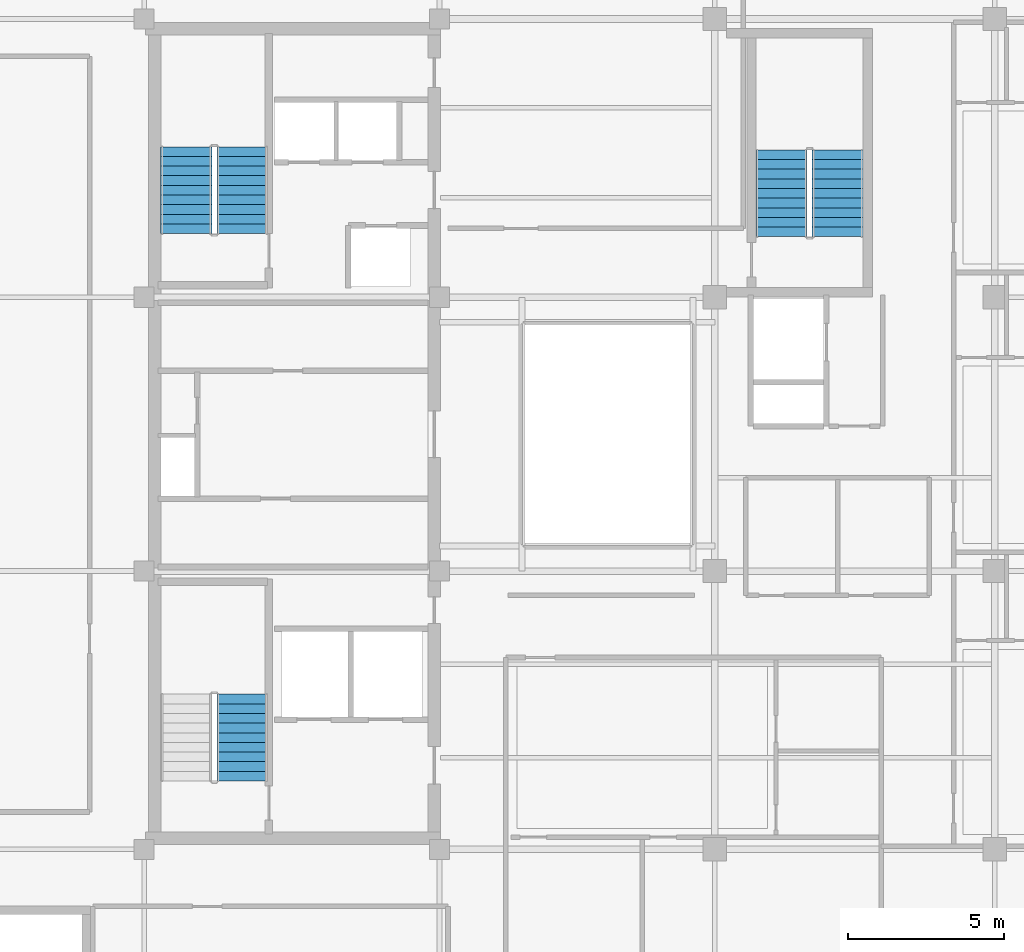
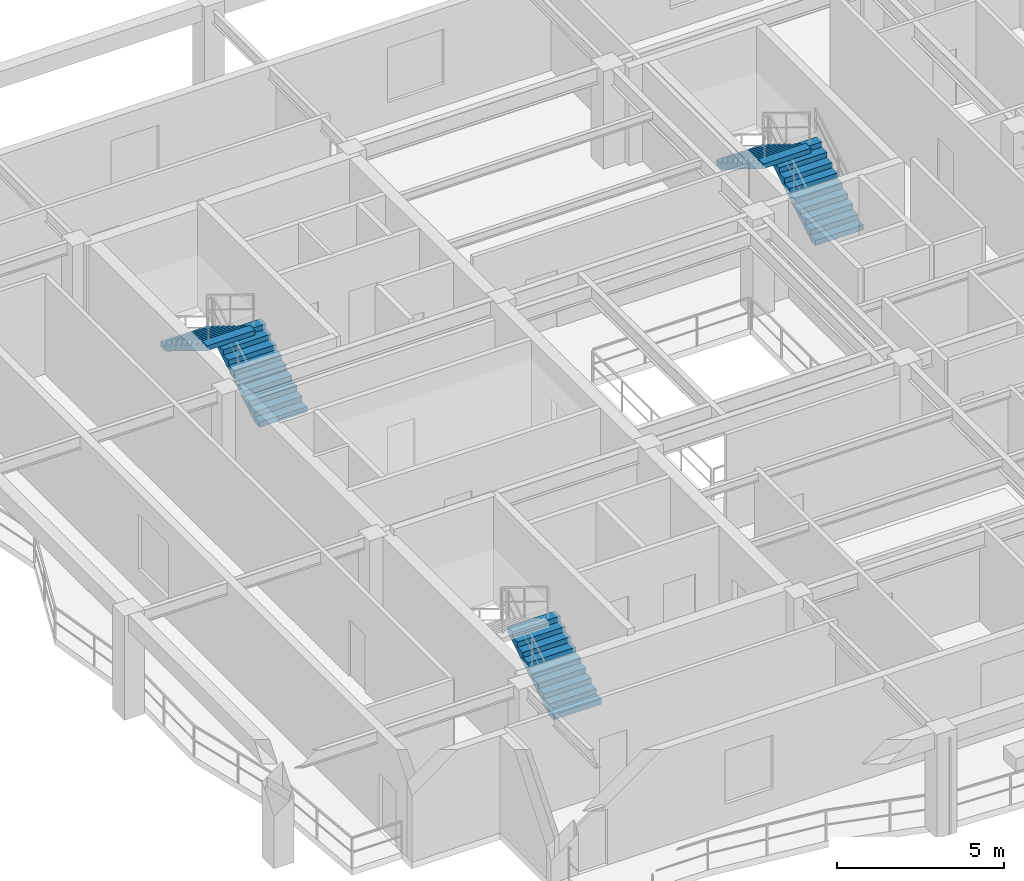
# One storey, part 6 of 10: 5 stair flights, 3 elements without a shape of their own.
"""IFC4 building model written with IfcOpenShell, lengths in metres."""

from ifc_helpers import new_model, si_unit, direction, frame, origin, place, context, subcontext, project, spatial, polyline, outline, extrude, material, type_object, element, aggregate, save


model = new_model("IFC4")

# Units and contexts
model_context = context("Model", 3, precision=1e-05, world=origin(), true_north=direction((0.0, 1.0)))
body_context = subcontext(model_context, "Body", "Model", "MODEL_VIEW")
ifc_project = project(units=[si_unit("LENGTHUNIT", "METRE"), si_unit("AREAUNIT", "SQUARE_METRE"), si_unit("VOLUMEUNIT", "CUBIC_METRE"), si_unit("PLANEANGLEUNIT", "RADIAN"), si_unit("MASSUNIT", "GRAM", prefix="KILO")], contexts=[model_context])

# Site, building, storey
site_placement = place(None, origin())
site = spatial("IfcSite", under=ifc_project, at=site_placement, CompositionType="ELEMENT")
building_placement = place(site_placement, origin())
building = spatial("IfcBuilding", under=site, at=building_placement, Name="Kundavana Baori Tower", CompositionType="ELEMENT")
storey_placement = place(building_placement, frame((0.0, 0.0, 316.300048828125)))
storey = spatial("IfcBuildingStorey", under=building, at=storey_placement, Name="L78", CompositionType="ELEMENT", Elevation=316.300048828125)

# Stair, stair flight
ifc_material_1 = material(Name="Concrete C40/50", Category="concrete")
stair_type = type_object("IfcStairType", Name="STR-DOG-1650", PredefinedType="HALF_TURN_STAIR", material=ifc_material_1)
stair_1_placement = place(storey_placement, origin())
stair_1 = element("IfcStair", 1, at=stair_1_placement, inside=storey, type_object=stair_type, Name="L78 Protected Exit Stair ST1", PredefinedType="HALF_TURN_STAIR")
ifc_material_2 = material(Name="Concrete C40/50", Category="concrete")
stair_flight_type = type_object("IfcStairFlightType", Name="SFL-RC-1650", PredefinedType="STRAIGHT", material=ifc_material_2)
stair_flight_1_placement = place(storey_placement, frame((18.614990234375, 17.449951171875, 0.0), z_axis=(0.0, 0.0, 1.0), x_axis=(0.0, 1.0, 0.0)))
stair_flight_1 = element("IfcStairFlight", 2, at=stair_flight_1_placement, type_object=stair_flight_type, Name="ST1 flight 1", NumberOfRisers=10, NumberOfTreads=9, PredefinedType="STRAIGHT", RiserHeight=0.19, TreadLength=0.31, context=body_context, shape_type="SweptSolid", body=[
    extrude(outline(polyline([(0.0, 0.0), (0.0, 0.18994140625), (0.31005859375, 0.18994140625), (0.31005859375, 0.3798828125), (0.6201171875, 0.3798828125), (0.6201171875, 0.570068359375), (0.929931640625, 0.570068359375), (0.929931640625, 0.760009765625), (1.239990234375, 0.760009765625), (1.239990234375, 0.949951171875), (1.550048828125, 0.949951171875), (1.550048828125, 1.139892578125), (1.860107421875, 1.139892578125), (1.860107421875, 1.330078125), (2.169921875, 1.330078125), (2.169921875, 1.52001953125), (2.47998046875, 1.52001953125), (2.47998046875, 1.7099609375), (2.7900390625, 1.7099609375), (2.7900390625, 1.89990234375), (2.7900390625, 1.5341796875), (0.286865234375, 0.0), (0.0, 0.0)])), frame((0.0, 0.824951171875, 0.0), z_axis=(0.0, -1.0, 0.0), x_axis=(1.0, 0.0, 0.0)), (0.0, 0.0, 1.0), 1.64990234375),
])
aggregate(stair_1, [stair_flight_1])

# Stair, stair flights
stair_2_placement = place(storey_placement, origin())
stair_2 = element("IfcStair", 3, at=stair_2_placement, inside=storey, type_object=stair_type, Name="L78 Protected Exit Stair ST2", PredefinedType="HALF_TURN_STAIR")
stair_flight_2_placement = place(storey_placement, frame((18.614990234375, 35.050048828125, 0.0), z_axis=(0.0, 0.0, 1.0), x_axis=(0.0, 1.0, 0.0)))
stair_flight_2 = element("IfcStairFlight", 4, at=stair_flight_2_placement, type_object=stair_flight_type, Name="ST2 flight 1", NumberOfRisers=10, NumberOfTreads=9, PredefinedType="STRAIGHT", RiserHeight=0.19, TreadLength=0.31, context=body_context, shape_type="SweptSolid", body=[
    extrude(outline(polyline([(0.0, 0.0), (0.0, 0.18994140625), (0.31005859375, 0.18994140625), (0.31005859375, 0.3798828125), (0.6201171875, 0.3798828125), (0.6201171875, 0.570068359375), (0.929931640625, 0.570068359375), (0.929931640625, 0.760009765625), (1.239990234375, 0.760009765625), (1.239990234375, 0.949951171875), (1.550048828125, 0.949951171875), (1.550048828125, 1.139892578125), (1.860107421875, 1.139892578125), (1.860107421875, 1.330078125), (2.169921875, 1.330078125), (2.169921875, 1.52001953125), (2.47998046875, 1.52001953125), (2.47998046875, 1.7099609375), (2.7900390625, 1.7099609375), (2.7900390625, 1.89990234375), (2.7900390625, 1.5341796875), (0.286865234375, 0.0), (0.0, 0.0)])), frame((0.0, 0.824951171875, 0.0), z_axis=(0.0, -1.0, 0.0), x_axis=(1.0, 0.0, 0.0)), (0.0, 0.0, 1.0), 1.64990234375),
])
stair_flight_3_placement = place(storey_placement, frame((16.804931640625, 37.840087890625, 1.89990234375), z_axis=(0.0, 0.0, 1.0), x_axis=(0.0, -1.0, 0.0)))
stair_flight_3 = element("IfcStairFlight", 5, at=stair_flight_3_placement, type_object=stair_flight_type, Name="ST2 flight 2", NumberOfRisers=10, NumberOfTreads=9, PredefinedType="STRAIGHT", RiserHeight=0.19, TreadLength=0.31, context=body_context, shape_type="SweptSolid", body=[
    extrude(outline(polyline([(0.0, 0.0), (0.0, 0.18994140625), (0.31005859375, 0.18994140625), (0.31005859375, 0.3798828125), (0.6201171875, 0.3798828125), (0.6201171875, 0.570068359375), (0.929931640625, 0.570068359375), (0.929931640625, 0.760009765625), (1.239990234375, 0.760009765625), (1.239990234375, 0.949951171875), (1.550048828125, 0.949951171875), (1.550048828125, 1.139892578125), (1.860107421875, 1.139892578125), (1.860107421875, 1.330078125), (2.169921875, 1.330078125), (2.169921875, 1.52001953125), (2.47998046875, 1.52001953125), (2.47998046875, 1.7099609375), (2.7900390625, 1.7099609375), (2.7900390625, 1.89990234375), (2.7900390625, 1.5341796875), (0.286865234375, 0.0), (0.0, 0.0)])), frame((0.0, 0.824951171875, 0.0), z_axis=(0.0, -1.0, 0.0), x_axis=(1.0, 0.0, 0.0)), (0.0, 0.0, 1.0), 1.64990234375),
])
aggregate(stair_2, [stair_flight_2, stair_flight_3])

stair_3_placement = place(storey_placement, origin())
stair_3 = element("IfcStair", 6, at=stair_3_placement, inside=storey, type_object=stair_type, Name="L78 Protected Exit Stair ST3", PredefinedType="HALF_TURN_STAIR")
stair_flight_4_placement = place(storey_placement, frame((37.7548828125, 34.949951171875, 0.0), z_axis=(0.0, 0.0, 1.0), x_axis=(0.0, 1.0, 0.0)))
stair_flight_4 = element("IfcStairFlight", 7, at=stair_flight_4_placement, type_object=stair_flight_type, Name="ST3 flight 1", NumberOfRisers=10, NumberOfTreads=9, PredefinedType="STRAIGHT", RiserHeight=0.19, TreadLength=0.31, context=body_context, shape_type="SweptSolid", body=[
    extrude(outline(polyline([(0.0, 0.0), (0.0, 0.18994140625), (0.31005859375, 0.18994140625), (0.31005859375, 0.3798828125), (0.6201171875, 0.3798828125), (0.6201171875, 0.570068359375), (0.929931640625, 0.570068359375), (0.929931640625, 0.760009765625), (1.239990234375, 0.760009765625), (1.239990234375, 0.949951171875), (1.550048828125, 0.949951171875), (1.550048828125, 1.139892578125), (1.860107421875, 1.139892578125), (1.860107421875, 1.330078125), (2.169921875, 1.330078125), (2.169921875, 1.52001953125), (2.47998046875, 1.52001953125), (2.47998046875, 1.7099609375), (2.7900390625, 1.7099609375), (2.7900390625, 1.89990234375), (2.7900390625, 1.5341796875), (0.286865234375, 0.0), (0.0, 0.0)])), frame((0.0, 0.824951171875, 0.0), z_axis=(0.0, -1.0, 0.0), x_axis=(1.0, 0.0, 0.0)), (0.0, 0.0, 1.0), 1.64990234375),
])
stair_flight_5_placement = place(storey_placement, frame((35.945068359375, 37.739990234375, 1.89990234375), z_axis=(0.0, 0.0, 1.0), x_axis=(0.0, -1.0, 0.0)))
stair_flight_5 = element("IfcStairFlight", 8, at=stair_flight_5_placement, type_object=stair_flight_type, Name="ST3 flight 2", NumberOfRisers=10, NumberOfTreads=9, PredefinedType="STRAIGHT", RiserHeight=0.19, TreadLength=0.31, context=body_context, shape_type="SweptSolid", body=[
    extrude(outline(polyline([(0.0, 0.0), (0.0, 0.18994140625), (0.31005859375, 0.18994140625), (0.31005859375, 0.3798828125), (0.6201171875, 0.3798828125), (0.6201171875, 0.570068359375), (0.929931640625, 0.570068359375), (0.929931640625, 0.760009765625), (1.239990234375, 0.760009765625), (1.239990234375, 0.949951171875), (1.550048828125, 0.949951171875), (1.550048828125, 1.139892578125), (1.860107421875, 1.139892578125), (1.860107421875, 1.330078125), (2.169921875, 1.330078125), (2.169921875, 1.52001953125), (2.47998046875, 1.52001953125), (2.47998046875, 1.7099609375), (2.7900390625, 1.7099609375), (2.7900390625, 1.89990234375), (2.7900390625, 1.5341796875), (0.286865234375, 0.0), (0.0, 0.0)])), frame((0.0, 0.824951171875, 0.0), z_axis=(0.0, -1.0, 0.0), x_axis=(1.0, 0.0, 0.0)), (0.0, 0.0, 1.0), 1.64990234375),
])
aggregate(stair_3, [stair_flight_4, stair_flight_5])

save(model, "model.ifc")
